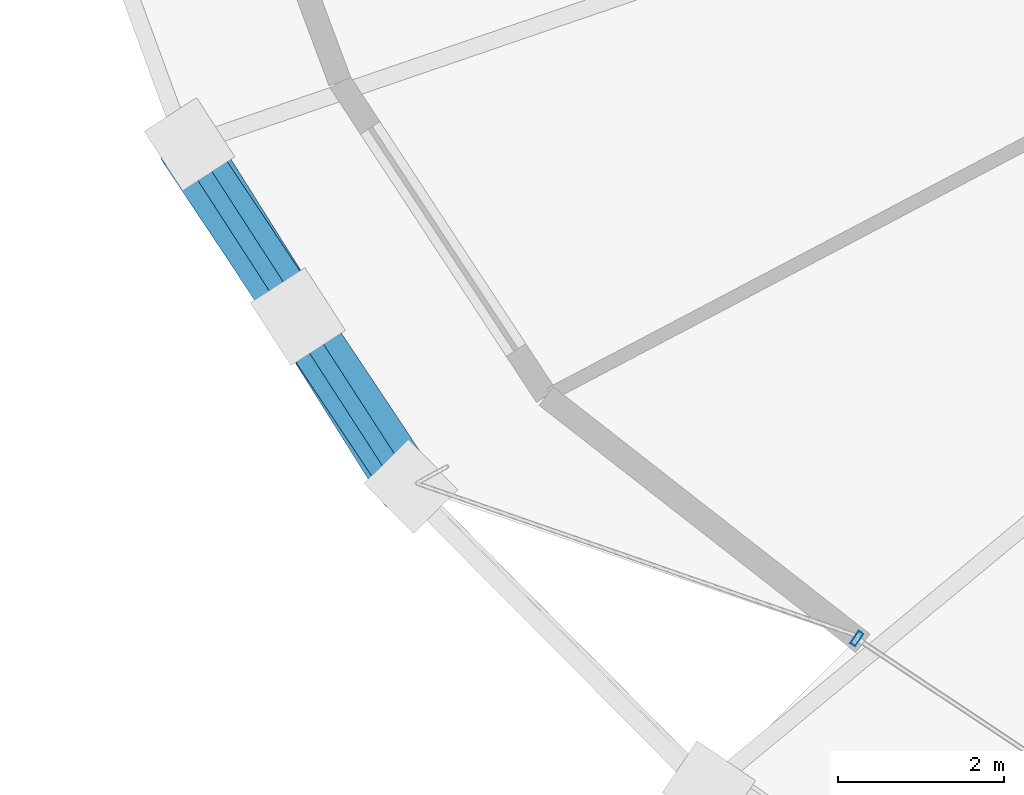
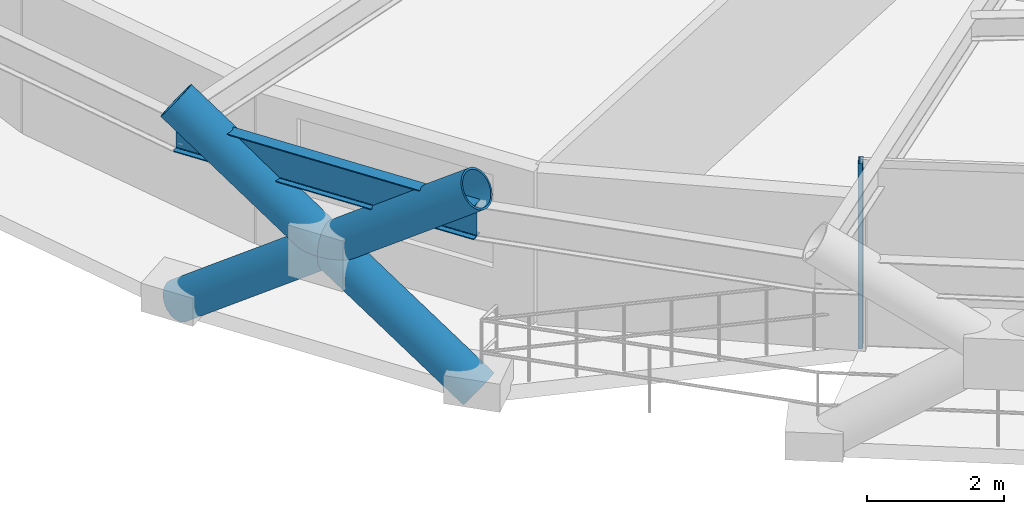
# One storey, part 2 of 21: 4 members, 1 beam, 1 element without a shape of its own.
"""IFC4 building model written with IfcOpenShell, lengths in metres."""

import ifcopenshell
import ifcopenshell.guid

model = None  # the IFC model being written
_history = None  # IfcOwnerHistory: only IFC2X3 demands one
_inside = {}  # id of a spatial element -> (the spatial element, [elements in it])
_under = {}  # id of a project, library or spatial element -> (it, [spatial elements below it])
_declared = {}  # id of a project -> (the project, [libraries it declares])
_typed = {}  # id of a type object -> (the type object, [elements of that type])
_made_of = {}  # id of a material, layer set ... -> (it, [elements and type objects made of it])


def new_model(schema):
    """Start an empty IFC model of exactly this schema.

    Asked for "IFC4X3", IfcOpenShell would pick the latest addendum, in which some entities
    have other attributes; the version numbers below select the first issue.
    IFC2X3 requires an IfcOwnerHistory on every rooted entity: one is made here for all.
    """
    global model, _history
    if schema == "IFC4X3":
        model = ifcopenshell.file(schema_version=(4, 3, 0, 0))
    else:
        model = ifcopenshell.file(schema=schema)
    _inside.clear()
    _under.clear()
    _declared.clear()
    _typed.clear()
    _made_of.clear()
    _history = None
    if model.schema == "IFC2X3":
        org = make("IfcOrganization", Name="unknown")
        user = make(
            "IfcPersonAndOrganization",
            ThePerson=make("IfcPerson", FamilyName="unknown"),
            TheOrganization=org,
        )
        app = make(
            "IfcApplication",
            ApplicationDeveloper=org,
            Version="unknown",
            ApplicationFullName="unknown",
            ApplicationIdentifier="unknown",
        )
        _history = make(
            "IfcOwnerHistory",
            OwningUser=user,
            OwningApplication=app,
            ChangeAction="ADDED",
            CreationDate=0,
        )
    return model


def make(cls, **values):
    """One entity of the class cls with the attributes given. An attribute that is None is left unset."""
    return model.create_entity(
        cls, **{name: value for name, value in values.items() if value is not None}
    )


def rooted(cls, **values):
    """An entity with a GlobalId (a new one), such as an element, a storey or a relation."""
    return make(cls, GlobalId=ifcopenshell.guid.new(), OwnerHistory=_history, **values)


def si_unit(unit_type, name, prefix=None):
    """IfcSIUnit, for example si_unit("LENGTHUNIT", "METRE", prefix="MILLI")."""
    return make("IfcSIUnit", UnitType=unit_type, Prefix=prefix, Name=name)


def assignment(units):
    """IfcUnitAssignment: the units of a project."""
    return None if units is None else make("IfcUnitAssignment", Units=units)


def point(xyz):
    """IfcCartesianPoint."""
    return None if xyz is None else make("IfcCartesianPoint", Coordinates=xyz)


def direction(xyz):
    """IfcDirection."""
    return None if xyz is None else make("IfcDirection", DirectionRatios=xyz)


def frame(location, z_axis=None, x_axis=None):
    """IfcAxis2Placement3D, a coordinate frame: its origin and axes. An axis left out is left unset."""
    return make(
        "IfcAxis2Placement3D",
        Location=point(location),
        Axis=direction(z_axis),
        RefDirection=direction(x_axis),
    )


def frame_2d(location, x_axis=None):
    """IfcAxis2Placement2D, a coordinate frame in the plane: its origin and x axis."""
    return make(
        "IfcAxis2Placement2D", Location=point(location), RefDirection=direction(x_axis)
    )


def origin():
    """The frame at (0, 0, 0) with its axes left unset."""
    return frame((0.0, 0.0, 0.0))


def origin_2d():
    """The frame at (0, 0) in the plane with its x axis left unset."""
    return frame_2d((0.0, 0.0))


def place(relative_to, where):
    """IfcLocalPlacement: puts the frame where relative to a parent placement (None: the world)."""
    return make(
        "IfcLocalPlacement", PlacementRelTo=relative_to, RelativePlacement=where
    )


def context(
    kind, dimensions, precision=None, world=None, true_north=None, identifier=None
):
    """IfcGeometricRepresentationContext, for example the 3D "Model" context."""
    return make(
        "IfcGeometricRepresentationContext",
        ContextIdentifier=identifier,
        ContextType=kind,
        CoordinateSpaceDimension=dimensions,
        Precision=precision,
        WorldCoordinateSystem=world,
        TrueNorth=true_north,
    )


def subcontext(parent, identifier, kind, view, scale=None):
    """IfcGeometricRepresentationSubContext, for example "Body" below "Model"."""
    return make(
        "IfcGeometricRepresentationSubContext",
        ContextIdentifier=identifier,
        ContextType=kind,
        ParentContext=parent,
        TargetScale=scale,
        TargetView=view,
    )


def project(units=None, contexts=None):
    """IfcProject with its units and contexts."""
    return rooted(
        "IfcProject",
        Name="project",
        RepresentationContexts=contexts,
        UnitsInContext=assignment(units),
    )


def spatial(cls, under=None, at=None, **own):
    """A site, building, storey or space (cls), placed at a placement, below another one or the project."""
    s = rooted(cls, ObjectPlacement=at, **own)
    if under is not None:
        _under.setdefault(under.id(), (under, []))[1].append(s)
    return s


def profile(cls, at=None, kind="AREA", **sizes):
    """A parametric profile (cls). Its sizes go by their IFC names, for example OverallWidth=200.0."""
    return make(cls, ProfileType=kind, Position=at, **sizes)


def hollow_rectangle(**sizes):
    """IfcRectangleHollowProfileDef."""
    return profile("IfcRectangleHollowProfileDef", **sizes)


def hollow_circle(**sizes):
    """IfcCircleHollowProfileDef."""
    return profile("IfcCircleHollowProfileDef", **sizes)


def i_section(**sizes):
    """IfcIShapeProfileDef."""
    return profile("IfcIShapeProfileDef", **sizes)


def extrude(swept, where, along, depth):
    """IfcExtrudedAreaSolid: the profile swept, set in the frame where, extruded along a direction by depth."""
    return make(
        "IfcExtrudedAreaSolid",
        SweptArea=swept,
        Position=where,
        ExtrudedDirection=direction(along),
        Depth=depth,
    )


def shape(context_of_items, identifier, shape_type, items):
    """IfcShapeRepresentation: the items that make up one representation, for example the "Body"."""
    return make(
        "IfcShapeRepresentation",
        ContextOfItems=context_of_items,
        RepresentationIdentifier=identifier,
        RepresentationType=shape_type,
        Items=items,
    )


def material(Name=None, Category=None):
    """IfcMaterial."""
    return make("IfcMaterial", Name=Name, Category=Category)


def layer(
    of_material, thickness, ventilated=None, Name=None, Category=None, Priority=None
):
    """IfcMaterialLayer: one layer of a wall or slab, of a material (None: an air gap)."""
    return make(
        "IfcMaterialLayer",
        Material=of_material,
        LayerThickness=thickness,
        IsVentilated=ventilated,
        Name=Name,
        Category=Category,
        Priority=Priority,
    )


def layer_set(layers, Name=None):
    """IfcMaterialLayerSet."""
    return make("IfcMaterialLayerSet", MaterialLayers=layers, LayerSetName=Name)


def material_profile(
    of_material, cross_section, Name=None, Category=None, Priority=None
):
    """IfcMaterialProfile: a cross section and its material."""
    return make(
        "IfcMaterialProfile",
        Name=Name,
        Material=of_material,
        Profile=cross_section,
        Priority=Priority,
        Category=Category,
    )


def profile_set(profiles, Name=None, composite=None):
    """IfcMaterialProfileSet."""
    return make(
        "IfcMaterialProfileSet",
        Name=Name,
        MaterialProfiles=profiles,
        CompositeProfile=composite,
    )


def made_of(thing, what):
    """Note that an element or type object is made of a material, layer set ...; save() writes the relation."""
    if what is not None:
        _made_of.setdefault(what.id(), (what, []))[1].append(thing)
    return thing


def type_object(cls, material=None, **own):
    """A type object (cls), such as IfcWallType, which elements share."""
    return made_of(rooted(cls, **own), material)


def element(
    cls,
    number,
    at=None,
    inside=None,
    cuts=None,
    type_object=None,
    material=None,
    context=None,
    identifier="Body",
    shape_type=None,
    held_by="IfcProductDefinitionShape",
    body=None,
    shapes=None,
    **own,
):
    """One element of the class cls, such as IfcWall. Its Tag is "e" and its number.

    at: its placement. inside: the storey or other place that contains it. cuts: it is an
    opening in that element (IfcRelVoidsElement). A single representation is given by context,
    identifier, shape_type and body (its items); several are given by shapes. held_by: the class
    of the entity that holds the representations. save() writes the other relations.
    """
    e = rooted(cls, Tag="e%d" % number, ObjectPlacement=at, **own)
    if body is not None:
        shapes = [shape(context, identifier, shape_type, body)]
    if shapes is not None:
        e.Representation = make(held_by, Representations=shapes)
    if inside is not None:
        _inside.setdefault(inside.id(), (inside, []))[1].append(e)
    if cuts is not None:
        rooted(
            "IfcRelVoidsElement", RelatingBuildingElement=cuts, RelatedOpeningElement=e
        )
    if type_object is not None:
        _typed.setdefault(type_object.id(), (type_object, []))[1].append(e)
    return made_of(e, material)


def aggregate(whole, parts):
    """IfcRelAggregates: a whole, such as a stair, and the parts it consists of."""
    return rooted("IfcRelAggregates", RelatingObject=whole, RelatedObjects=parts)


def save(model, path):
    """Write the relations noted so far, then the file.

    IfcRelAggregates (storeys below a building ...), IfcRelContainedInSpatialStructure (elements
    in a storey), IfcRelDefinesByType, IfcRelAssociatesMaterial and IfcRelDeclares: one each for
    every whole, place, type object, material and project.
    """
    for whole, parts in _under.values():
        aggregate(whole, parts)
    for where, things in _inside.values():
        rooted(
            "IfcRelContainedInSpatialStructure",
            RelatedElements=things,
            RelatingStructure=where,
        )
    for kind, things in _typed.values():
        rooted("IfcRelDefinesByType", RelatedObjects=things, RelatingType=kind)
    for what, things in _made_of.values():
        rooted("IfcRelAssociatesMaterial", RelatedObjects=things, RelatingMaterial=what)
    for by, libraries in _declared.values():
        rooted("IfcRelDeclares", RelatingContext=by, RelatedDefinitions=libraries)
    model.write(path)


model = new_model("IFC4")

# Units and contexts
model_context = context("Model", 3, precision=1e-05, world=origin(), true_north=direction((0.0, 1.0)))
body_context = subcontext(model_context, "Body", "Model", "MODEL_VIEW")
ifc_project = project(units=[si_unit("LENGTHUNIT", "METRE"), si_unit("AREAUNIT", "SQUARE_METRE"), si_unit("VOLUMEUNIT", "CUBIC_METRE"), si_unit("PLANEANGLEUNIT", "RADIAN"), si_unit("MASSUNIT", "GRAM", prefix="KILO")], contexts=[model_context])

# Site, building, storey
site_placement = place(None, origin())
site = spatial("IfcSite", under=ifc_project, at=site_placement, CompositionType="ELEMENT")
building_placement = place(site_placement, origin())
building = spatial("IfcBuilding", under=site, at=building_placement, Name="Veldorina Hangang Commons", CompositionType="ELEMENT")
storey_placement = place(building_placement, frame((0.0, 0.0, 66.39990234375)))
storey = spatial("IfcBuildingStorey", under=building, at=storey_placement, Name="L16", CompositionType="ELEMENT", Elevation=66.39990234375)

# Beam
ifc_material_1 = material(Name="Steel SM420-TMC", Category="steel")
ifc_material_profile_1 = material_profile(ifc_material_1, i_section(OverallWidth=0.199951171875, OverallDepth=0.60009765625, WebThickness=0.010986328125, FlangeThickness=0.01708984375, FilletRadius=0.01806640625, at=origin_2d()), Name="H-600x200x11x17")
ifc_profile_set_1 = profile_set([ifc_material_profile_1], Name="Steel SM420-TMC")
beam_type = type_object("IfcBeamType", Name="BM-RB600", PredefinedType="BEAM", material=ifc_profile_set_1)
beam_placement = place(storey_placement, frame((5.29443359375, 14.8515625, 3.0400390625), z_axis=(0.542852144434, -0.839828285594, 0.0), x_axis=(0.839828285594, 0.542852144434, 0.0)))
element("IfcBeam", 1, at=beam_placement, inside=storey, type_object=beam_type, Name="L16 perimeter hoop ring beam 18", PredefinedType="BEAM", context=body_context, shape_type="SweptSolid", body=[
    extrude(i_section(OverallWidth=0.199951171875, OverallDepth=0.60009765625, WebThickness=0.010986328125, FlangeThickness=0.01708984375, FilletRadius=0.01806640625, at=origin_2d()), origin(), (0.0, 0.0, 1.0), 4.921142578125),
])

# Curtain wall, member
ifc_material_2 = material(Name="Glass Low-E Triple IGU", Category="glass")
ifc_layer = layer(ifc_material_2, 0.179931640625)
ifc_layer_set = layer_set([ifc_layer], Name="Glass Low-E Triple IGU")
curtain_wall_type = type_object("IfcCurtainWallType", Name="CW-SYS-Z1", PredefinedType="NOTDEFINED", material=ifc_layer_set)
curtain_wall_placement = place(storey_placement, origin())
curtain_wall = element("IfcCurtainWall", 2, at=curtain_wall_placement, inside=storey, type_object=curtain_wall_type, Name="L16 unitised curtain wall CW-L16-R1", PredefinedType="NOTDEFINED")
ifc_material_3 = material(Name="Aluminium Anodized AA6063-T6", Category="aluminium")
ifc_material_profile_2 = material_profile(ifc_material_3, hollow_rectangle(XDim=0.070068359375, YDim=0.179931640625, WallThickness=0.00390625, at=origin_2d()), Name="ALU-RHS-180x70x4")
ifc_profile_set_2 = profile_set([ifc_material_profile_2], Name="Aluminium Anodized AA6063-T6")
member_type_1 = type_object("IfcMemberType", Name="CW-MUL-180", PredefinedType="MULLION", material=ifc_profile_set_2)
member_1_placement = place(storey_placement, frame((13.380859375, 8.91650390625, 0.0), z_axis=(0.0, 0.0, 1.0), x_axis=(0.832747346527, -0.553653191855, 0.0)))
member_1 = element("IfcMember", 3, at=member_1_placement, type_object=member_type_1, Name="CW-L16-R1 vertical mullion 1", PredefinedType="MULLION", context=body_context, shape_type="SweptSolid", body=[
    extrude(hollow_rectangle(XDim=0.070068359375, YDim=0.179931640625, WallThickness=0.00390625, at=origin_2d()), origin(), (0.0, 0.0, 1.0), 3.300048828125),
])
aggregate(curtain_wall, [member_1])

# Members
ifc_material_4 = material(Name="Steel SM460-TMC", Category="steel")
ifc_material_profile_3 = material_profile(ifc_material_4, hollow_circle(Radius=0.324951171875, WallThickness=0.031982421875, at=origin_2d()), Name="CHS-650x32")
ifc_profile_set_3 = profile_set([ifc_material_profile_3], Name="Steel SM460-TMC")
member_type_2 = type_object("IfcMemberType", Name="DG-CHS650", PredefinedType="BRACE", material=ifc_profile_set_3)
member_2_placement = place(storey_placement, frame((5.3447265625, 14.872314453125, 0.0), z_axis=(0.42904123124, -0.682970137862, 0.591164454855), x_axis=(0.846778567278, 0.531945540444, 0.0)))
element("IfcMember", 4, at=member_2_placement, inside=storey, type_object=member_type_2, Name="L16 continuous perimeter diagrid brace 18", PredefinedType="BRACE", context=body_context, shape_type="SweptSolid", body=[
    extrude(hollow_circle(Radius=0.324951171875, WallThickness=0.031982421875, at=origin_2d()), origin(), (0.0, 0.0, 1.0), 6.08984375),
])
member_3_placement = place(storey_placement, frame((8.010986328125, 10.748779296875, 0.0), z_axis=(-0.447082134748, 0.672026095677, 0.590337608084), x_axis=(-0.832584698095, -0.553897752747, 0.0)))
element("IfcMember", 5, at=member_3_placement, inside=storey, type_object=member_type_2, Name="L16 split perimeter diagrid lower brace 19", PredefinedType="BRACE", context=body_context, shape_type="SweptSolid", body=[
    extrude(hollow_circle(Radius=0.324951171875, WallThickness=0.031982421875, at=origin_2d()), origin(), (0.0, 0.0, 1.0), 3.04541015625),
])
member_4_placement = place(storey_placement, frame((6.6494140625, 12.79541015625, 1.7978515625), z_axis=(-0.446765407063, 0.67226718761, 0.590302887943), x_axis=(-0.832857190067, -0.553487941109, 0.0)))
element("IfcMember", 6, at=member_4_placement, inside=storey, type_object=member_type_2, Name="L16 split perimeter diagrid upper brace 19", PredefinedType="BRACE", context=body_context, shape_type="SweptSolid", body=[
    extrude(hollow_circle(Radius=0.324951171875, WallThickness=0.031982421875, at=origin_2d()), origin(), (0.0, 0.0, 1.0), 3.052978515625),
])

save(model, "model.ifc")
